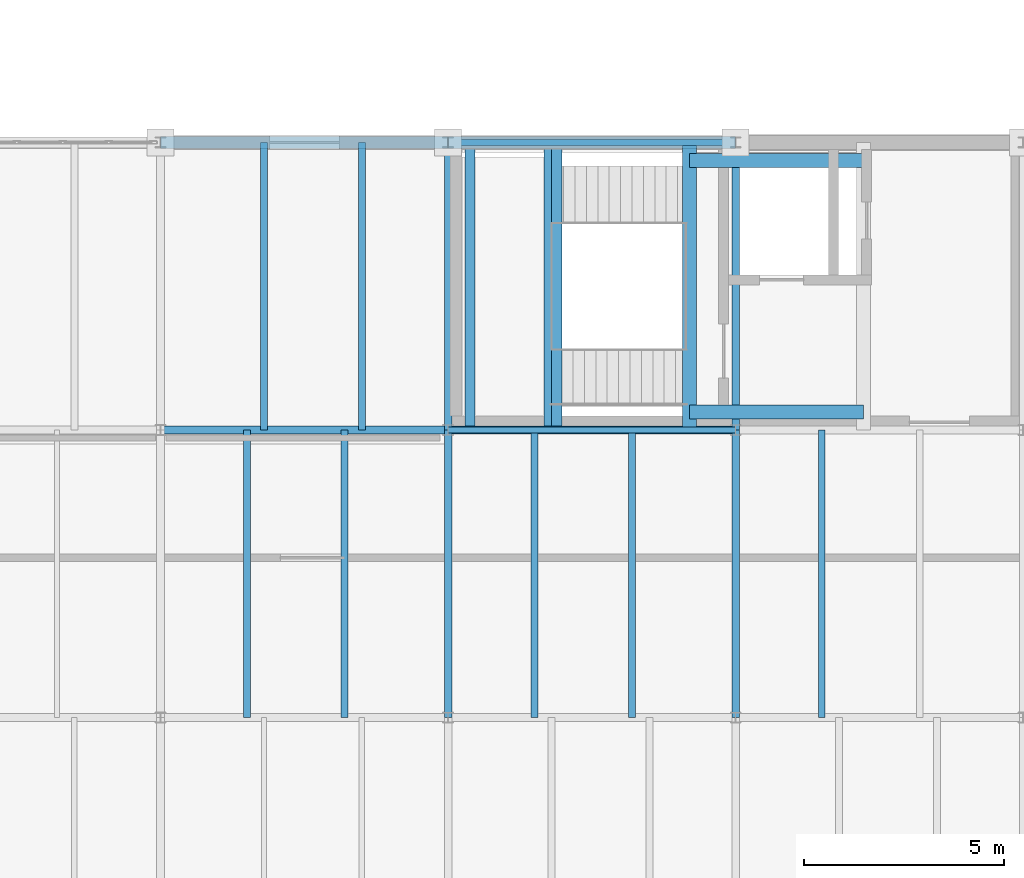
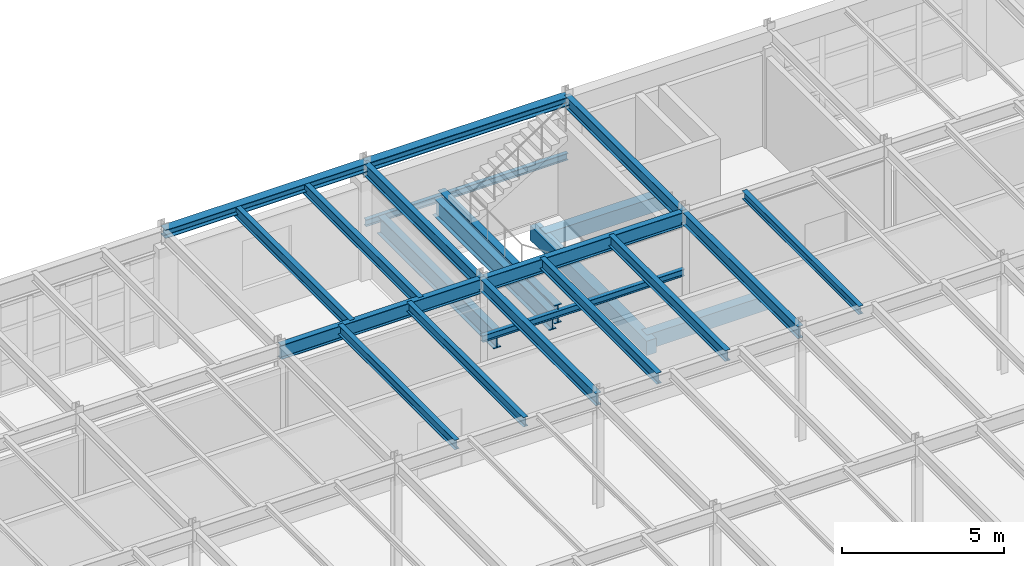
# One storey, part 45 of 137: 23 beams.
"""IFC4 building model written with IfcOpenShell, lengths in metres."""

from ifc_helpers import new_model, si_unit, direction, frame, origin, origin_2d, place, context, subcontext, project, spatial, rectangle, i_section, extrude, material, material_profile, profile_set, type_object, element, save


model = new_model("IFC4")

# Units and contexts
model_context = context("Model", 3, precision=1e-05, world=origin(), true_north=direction((0.0, 1.0)))
body_context = subcontext(model_context, "Body", "Model", "MODEL_VIEW")
ifc_project = project(units=[si_unit("LENGTHUNIT", "METRE"), si_unit("AREAUNIT", "SQUARE_METRE"), si_unit("VOLUMEUNIT", "CUBIC_METRE"), si_unit("PLANEANGLEUNIT", "RADIAN"), si_unit("MASSUNIT", "GRAM", prefix="KILO")], contexts=[model_context])

# Site, building, storey
site_placement = place(None, origin())
site = spatial("IfcSite", under=ifc_project, at=site_placement, CompositionType="ELEMENT")
building_placement = place(site_placement, origin())
building = spatial("IfcBuilding", under=site, at=building_placement, Name="Kemerveld Promenade Tramway Depot", CompositionType="ELEMENT")
storey_placement = place(building_placement, frame((0.0, 0.0, 5.39990234375)))
storey = spatial("IfcBuildingStorey", under=building, at=storey_placement, Name="L01", CompositionType="ELEMENT", Elevation=5.39990234375)

# Beams
ifc_material_1 = material(Name="Steel S355", Category="steel")
ifc_material_profile_1 = material_profile(ifc_material_1, i_section(OverallWidth=0.25439453125, OverallDepth=0.6875, WebThickness=0.01318359375, FlangeThickness=0.02099609375, FilletRadius=0.01513671875, at=origin_2d()), Name="686x254x152 UB")
ifc_profile_set_1 = profile_set([ifc_material_profile_1], Name="Steel S355")
beam_type_1 = type_object("IfcBeamType", Name="BM-G03", PredefinedType="BEAM", material=ifc_profile_set_1)
for number, where, z_axis, x_axis, name in (
    (1, (86.949951171875, 21.60009765625, 1.726318359375), (0.0, 1.0, 0.0), (-1.0, 0.0, 0.0), "BM-HL-ST-04-L01-W"),
    (2, (88.929931640625, 21.60009765625, 1.726318359375), (0.0, 1.0, 0.0), (-1.0, 0.0, 0.0), "BM-HL-ST-04-L01-M"),
    (3, (89.1201171875, 21.60009765625, 1.906494140625), (0.0, 1.0, 0.0), (-1.0, 0.0, 0.0), "BM-HL-ST-04-L01-F2"),
):
    element("IfcBeam", number, at=place(storey_placement, frame(where, z_axis=z_axis, x_axis=x_axis)), inside=storey, type_object=beam_type_1, Name=name, PredefinedType="BEAM", context=body_context, shape_type="SweptSolid", body=[
        extrude(i_section(OverallWidth=0.25439453125, OverallDepth=0.6875, WebThickness=0.01318359375, FlangeThickness=0.02099609375, FilletRadius=0.01513671875, at=origin_2d()), origin(), (0.0, 0.0, 1.0), 7.199951171875),
    ])
ifc_material_profile_2 = material_profile(ifc_material_1, i_section(OverallWidth=0.2099609375, OverallDepth=0.53662109375, WebThickness=0.0107421875, FlangeThickness=0.017333984375, FilletRadius=0.0126953125, at=origin_2d()), Name="533x210x101 UB")
ifc_profile_set_2 = profile_set([ifc_material_profile_2], Name="Steel S355")
beam_type_2 = type_object("IfcBeamType", Name="BM-G05", PredefinedType="BEAM", material=ifc_profile_set_2)
beam_1_placement = place(storey_placement, frame((79.199951171875, 21.60009765625, 3.981689453125), z_axis=(1.0, 0.0, 0.0), x_axis=(0.0, 1.0, 0.0)))
element("IfcBeam", 4, at=beam_1_placement, inside=storey, type_object=beam_type_2, Name="BMX-L01-12-13-D", PredefinedType="BEAM", context=body_context, shape_type="SweptSolid", body=[
    extrude(i_section(OverallWidth=0.2099609375, OverallDepth=0.53662109375, WebThickness=0.0107421875, FlangeThickness=0.017333984375, FilletRadius=0.0126953125, at=origin_2d()), origin(), (0.0, 0.0, 1.0), 7.199951171875),
])
beam_2_placement = place(storey_placement, frame((86.39990234375, 21.60009765625, 3.981689453125), z_axis=(1.0, 0.0, 0.0), x_axis=(0.0, 1.0, 0.0)))
element("IfcBeam", 5, at=beam_2_placement, inside=storey, type_object=beam_type_2, Name="BMX-L01-13-14-D", PredefinedType="BEAM", context=body_context, shape_type="SweptSolid", body=[
    extrude(i_section(OverallWidth=0.2099609375, OverallDepth=0.53662109375, WebThickness=0.0107421875, FlangeThickness=0.017333984375, FilletRadius=0.0126953125, at=origin_2d()), origin(), (0.0, 0.0, 1.0), 7.2001953125),
])
ifc_material_profile_3 = material_profile(ifc_material_1, i_section(OverallWidth=0.19140625, OverallDepth=0.4599609375, WebThickness=0.010009765625, FlangeThickness=0.01611328125, FilletRadius=0.01025390625, at=origin_2d()), Name="457x191x82 UB")
ifc_profile_set_3 = profile_set([ifc_material_profile_3], Name="Steel S355")
beam_type_3 = type_object("IfcBeamType", Name="BM-G06", PredefinedType="BEAM", material=ifc_profile_set_3)
beam_3_placement = place(storey_placement, frame((86.39990234375, 14.39990234375, 4.02001953125), z_axis=(0.0, 1.0, 0.0), x_axis=(-1.0, 0.0, 0.0)))
element("IfcBeam", 6, at=beam_3_placement, inside=storey, type_object=beam_type_3, Name="BMY-L01-13-C-D", PredefinedType="BEAM", context=body_context, shape_type="SweptSolid", body=[
    extrude(i_section(OverallWidth=0.19140625, OverallDepth=0.4599609375, WebThickness=0.010009765625, FlangeThickness=0.01611328125, FilletRadius=0.01025390625, at=origin_2d()), origin(), (0.0, 0.0, 1.0), 7.2001953125),
])
beam_4_placement = place(storey_placement, frame((86.39990234375, 21.60009765625, 4.02001953125), z_axis=(0.0, 1.0, 0.0), x_axis=(-1.0, 0.0, 0.0)))
element("IfcBeam", 7, at=beam_4_placement, inside=storey, type_object=beam_type_3, Name="BMY-L01-13-D-E", PredefinedType="BEAM", context=body_context, shape_type="SweptSolid", body=[
    extrude(i_section(OverallWidth=0.19140625, OverallDepth=0.4599609375, WebThickness=0.010009765625, FlangeThickness=0.01611328125, FilletRadius=0.01025390625, at=origin_2d()), origin(), (0.0, 0.0, 1.0), 7.199951171875),
])
beam_5_placement = place(storey_placement, frame((93.60009765625, 14.39990234375, 4.02001953125), z_axis=(0.0, 1.0, 0.0), x_axis=(-1.0, 0.0, 0.0)))
element("IfcBeam", 8, at=beam_5_placement, inside=storey, type_object=beam_type_3, Name="BMY-L01-14-C-D", PredefinedType="BEAM", context=body_context, shape_type="SweptSolid", body=[
    extrude(i_section(OverallWidth=0.19140625, OverallDepth=0.4599609375, WebThickness=0.010009765625, FlangeThickness=0.01611328125, FilletRadius=0.01025390625, at=origin_2d()), origin(), (0.0, 0.0, 1.0), 7.2001953125),
])
beam_6_placement = place(storey_placement, frame((93.60009765625, 21.60009765625, 4.02001953125), z_axis=(0.0, 1.0, 0.0), x_axis=(-1.0, 0.0, 0.0)))
element("IfcBeam", 9, at=beam_6_placement, inside=storey, type_object=beam_type_3, Name="BMY-L01-14-D-E", PredefinedType="BEAM", context=body_context, shape_type="SweptSolid", body=[
    extrude(i_section(OverallWidth=0.19140625, OverallDepth=0.4599609375, WebThickness=0.010009765625, FlangeThickness=0.01611328125, FilletRadius=0.01025390625, at=origin_2d()), origin(), (0.0, 0.0, 1.0), 7.199951171875),
])
ifc_material_profile_4 = material_profile(ifc_material_1, i_section(OverallWidth=0.307373046875, OverallDepth=0.314453125, WebThickness=0.011962890625, FlangeThickness=0.018798828125, FilletRadius=0.01513671875, at=origin_2d()), Name="305x305x118 UC")
ifc_profile_set_4 = profile_set([ifc_material_profile_4], Name="Steel S355")
beam_type_4 = type_object("IfcBeamType", Name="BM-G12", PredefinedType="BEAM", material=ifc_profile_set_4)
beam_7_placement = place(storey_placement, frame((79.199951171875, 28.800048828125, 4.093017578125), z_axis=(1.0, 0.0, 0.0), x_axis=(0.0, 1.0, 0.0)))
element("IfcBeam", 10, at=beam_7_placement, inside=storey, type_object=beam_type_4, Name="BMX-L01-12-13-E", PredefinedType="BEAM", context=body_context, shape_type="SweptSolid", body=[
    extrude(i_section(OverallWidth=0.307373046875, OverallDepth=0.314453125, WebThickness=0.011962890625, FlangeThickness=0.018798828125, FilletRadius=0.01513671875, at=origin_2d()), origin(), (0.0, 0.0, 1.0), 7.199951171875),
])
ifc_material_profile_5 = material_profile(ifc_material_1, i_section(OverallWidth=0.311279296875, OverallDepth=0.3271484375, WebThickness=0.015869140625, FlangeThickness=0.02490234375, FilletRadius=0.01513671875, at=origin_2d()), Name="305x305x158 UC")
ifc_profile_set_5 = profile_set([ifc_material_profile_5], Name="Steel S355")
beam_type_5 = type_object("IfcBeamType", Name="BM-G13", PredefinedType="BEAM", material=ifc_profile_set_5)
beam_8_placement = place(storey_placement, frame((86.39990234375, 28.800048828125, 4.08642578125), z_axis=(1.0, 0.0, 0.0), x_axis=(0.0, 1.0, 0.0)))
element("IfcBeam", 11, at=beam_8_placement, inside=storey, type_object=beam_type_5, Name="BMX-L01-13-14-E", PredefinedType="BEAM", context=body_context, shape_type="SweptSolid", body=[
    extrude(i_section(OverallWidth=0.311279296875, OverallDepth=0.3271484375, WebThickness=0.015869140625, FlangeThickness=0.02490234375, FilletRadius=0.01513671875, at=origin_2d()), origin(), (0.0, 0.0, 1.0), 7.2001953125),
])
ifc_material_profile_6 = material_profile(ifc_material_1, i_section(OverallWidth=0.165771484375, OverallDepth=0.306640625, WebThickness=0.006591796875, FlangeThickness=0.01171875, FilletRadius=0.0087890625, at=origin_2d()), Name="305x165x46 UB")
ifc_profile_set_6 = profile_set([ifc_material_profile_6], Name="Steel S355")
beam_type_6 = type_object("IfcBeamType", Name="BM-J01", PredefinedType="JOIST", material=ifc_profile_set_6)
beam_9_placement = place(storey_placement, frame((95.760009765625, 14.39990234375, 4.0966796875), z_axis=(0.0, 1.0, 0.0), x_axis=(-1.0, 0.0, 0.0)))
element("IfcBeam", 12, at=beam_9_placement, inside=storey, type_object=beam_type_6, Name="JST-L01-14-C-1", PredefinedType="JOIST", context=body_context, shape_type="SweptSolid", body=[
    extrude(i_section(OverallWidth=0.165771484375, OverallDepth=0.306640625, WebThickness=0.006591796875, FlangeThickness=0.01171875, FilletRadius=0.0087890625, at=origin_2d()), origin(), (0.0, 0.0, 1.0), 7.2001953125),
])
ifc_material_profile_7 = material_profile(ifc_material_1, i_section(OverallWidth=0.146484375, OverallDepth=0.256103515625, WebThickness=0.00634765625, FlangeThickness=0.010986328125, FilletRadius=0.007568359375, at=origin_2d()), Name="254x146x37 UB")
ifc_profile_set_7 = profile_set([ifc_material_profile_7], Name="Steel S355")
beam_type_7 = type_object("IfcBeamType", Name="BM-J02", PredefinedType="JOIST", material=ifc_profile_set_7)
for number, where, z_axis, x_axis, name in (
    (13, (86.39990234375, 21.60009765625, 1.942138671875), (1.0, 0.0, 0.0), (0.0, 1.0, 0.0), "BM-HLY-ST-04-L01-S"),
    (14, (86.39990234375, 28.800048828125, 1.942138671875), (1.0, 0.0, 0.0), (0.0, 1.0, 0.0), "BM-HLY-ST-04-L01-N"),
):
    element("IfcBeam", number, at=place(storey_placement, frame(where, z_axis=z_axis, x_axis=x_axis)), inside=storey, type_object=beam_type_7, Name=name, PredefinedType="JOIST", context=body_context, shape_type="SweptSolid", body=[
        extrude(i_section(OverallWidth=0.146484375, OverallDepth=0.256103515625, WebThickness=0.00634765625, FlangeThickness=0.010986328125, FilletRadius=0.007568359375, at=origin_2d()), origin(), (0.0, 0.0, 1.0), 7.2001953125),
    ])
ifc_material_profile_8 = material_profile(ifc_material_1, i_section(OverallWidth=0.172119140625, OverallDepth=0.35791015625, WebThickness=0.008056640625, FlangeThickness=0.012939453125, FilletRadius=0.01025390625, at=origin_2d()), Name="356x171x57 UB")
ifc_profile_set_8 = profile_set([ifc_material_profile_8], Name="Steel S355")
beam_type_8 = type_object("IfcBeamType", Name="BM-J04", PredefinedType="JOIST", material=ifc_profile_set_8)
for number, where, z_axis, x_axis, name in (
    (15, (81.360107421875, 14.39990234375, 4.071044921875), (0.0, 1.0, 0.0), (-1.0, 0.0, 0.0), "JST-L01-12-C-1"),
    (16, (83.80810546875, 14.39990234375, 4.071044921875), (0.0, 1.0, 0.0), (-1.0, 0.0, 0.0), "JST-L01-12-C-2"),
):
    element("IfcBeam", number, at=place(storey_placement, frame(where, z_axis=z_axis, x_axis=x_axis)), inside=storey, type_object=beam_type_8, Name=name, PredefinedType="JOIST", context=body_context, shape_type="SweptSolid", body=[
        extrude(i_section(OverallWidth=0.172119140625, OverallDepth=0.35791015625, WebThickness=0.008056640625, FlangeThickness=0.012939453125, FilletRadius=0.01025390625, at=origin_2d()), origin(), (0.0, 0.0, 1.0), 7.2001953125),
    ])
ifc_material_profile_9 = material_profile(ifc_material_1, i_section(OverallWidth=0.1787109375, OverallDepth=0.409423828125, WebThickness=0.0087890625, FlangeThickness=0.014404296875, FilletRadius=0.01025390625, at=origin_2d()), Name="406x178x67 UB")
ifc_profile_set_9 = profile_set([ifc_material_profile_9], Name="Steel S355")
beam_type_9 = type_object("IfcBeamType", Name="BM-J05", PredefinedType="JOIST", material=ifc_profile_set_9)
for number, where, z_axis, x_axis, name in (
    (17, (81.7919921875, 21.60009765625, 4.04541015625), (0.0, 1.0, 0.0), (-1.0, 0.0, 0.0), "JST-L01-12-D-1"),
    (18, (84.239990234375, 21.60009765625, 4.04541015625), (0.0, 1.0, 0.0), (-1.0, 0.0, 0.0), "JST-L01-12-D-2"),
):
    element("IfcBeam", number, at=place(storey_placement, frame(where, z_axis=z_axis, x_axis=x_axis)), inside=storey, type_object=beam_type_9, Name=name, PredefinedType="JOIST", context=body_context, shape_type="SweptSolid", body=[
        extrude(i_section(OverallWidth=0.1787109375, OverallDepth=0.409423828125, WebThickness=0.0087890625, FlangeThickness=0.014404296875, FilletRadius=0.01025390625, at=origin_2d()), origin(), (0.0, 0.0, 1.0), 7.199951171875),
    ])
for number, where, z_axis, x_axis, name in (
    (19, (88.56005859375, 14.39990234375, 4.04541015625), (0.0, 1.0, 0.0), (-1.0, 0.0, 0.0), "JST-L01-13-C-1"),
    (20, (91.008056640625, 14.39990234375, 4.04541015625), (0.0, 1.0, 0.0), (-1.0, 0.0, 0.0), "JST-L01-13-C-2"),
):
    element("IfcBeam", number, at=place(storey_placement, frame(where, z_axis=z_axis, x_axis=x_axis)), inside=storey, type_object=beam_type_9, Name=name, PredefinedType="JOIST", context=body_context, shape_type="SweptSolid", body=[
        extrude(i_section(OverallWidth=0.1787109375, OverallDepth=0.409423828125, WebThickness=0.0087890625, FlangeThickness=0.014404296875, FilletRadius=0.01025390625, at=origin_2d()), origin(), (0.0, 0.0, 1.0), 7.2001953125),
    ])
ifc_material_2 = material(Name="Concrete C40/50", Category="concrete")
ifc_material_profile_10 = material_profile(ifc_material_2, rectangle(XDim=0.35009765625, YDim=0.550048828125, at=origin_2d()), Name="RC-BM-350x550")
ifc_profile_set_10 = profile_set([ifc_material_profile_10], Name="Concrete C40/50")
beam_type_10 = type_object("IfcBeamType", Name="BM-RC3", PredefinedType="BEAM", material=ifc_profile_set_10)
beam_10_placement = place(storey_placement, frame((92.449951171875, 21.60009765625, -0.5048828125), z_axis=(0.0, 1.0, 0.0), x_axis=(-1.0, 0.0, 0.0)))
element("IfcBeam", 21, at=beam_10_placement, inside=storey, type_object=beam_type_10, Name="BM-CORE-C4-L01-W", PredefinedType="BEAM", context=body_context, shape_type="SweptSolid", body=[
    extrude(rectangle(XDim=0.35009765625, YDim=0.550048828125, at=origin_2d()), origin(), (0.0, 0.0, 1.0), 7.199951171875),
])
for number, where, z_axis, x_axis, name in (
    (22, (92.449951171875, 22.050048828125, -0.5048828125), (1.0, 0.0, 0.0), (0.0, 1.0, 0.0), "BM-COREX-C4-L01-S"),
    (23, (92.449951171875, 28.35009765625, -0.5048828125), (1.0, 0.0, 0.0), (0.0, 1.0, 0.0), "BM-COREX-C4-L01-N"),
):
    element("IfcBeam", number, at=place(storey_placement, frame(where, z_axis=z_axis, x_axis=x_axis)), inside=storey, type_object=beam_type_10, Name=name, PredefinedType="BEAM", context=body_context, shape_type="SweptSolid", body=[
        extrude(rectangle(XDim=0.35009765625, YDim=0.550048828125, at=origin_2d()), origin(), (0.0, 0.0, 1.0), 4.35009765625),
    ])

save(model, "model.ifc")
